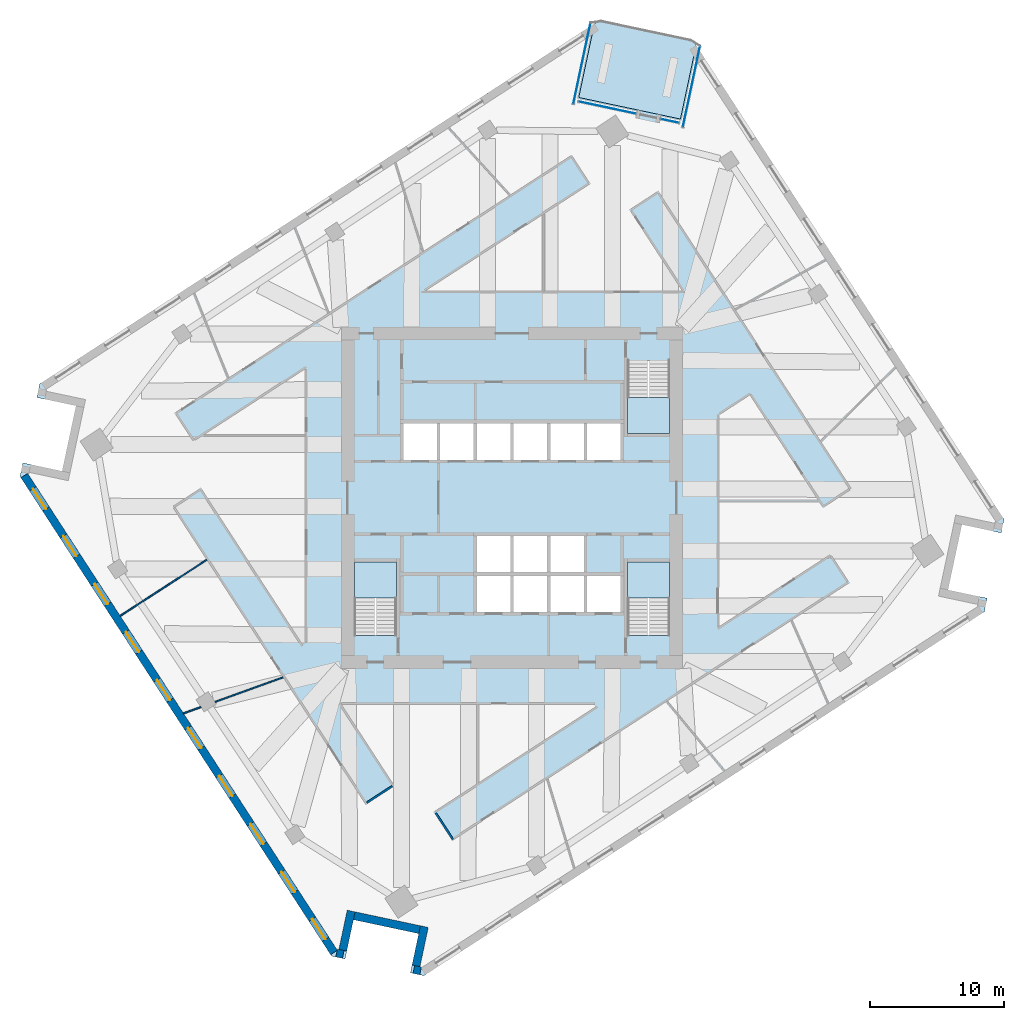
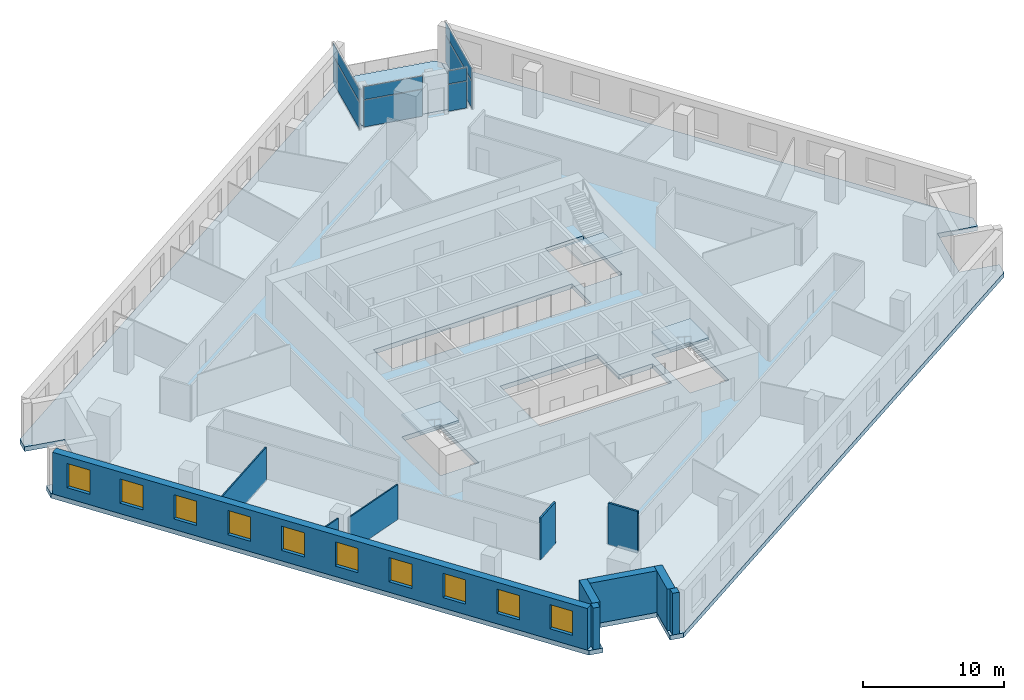
# One storey, part 5 of 12: 11 walls, 10 windows, 8 plates, 5 slabs, 10 openings, 7 elements without a shape of their own.
"""IFC4 building model written with IfcOpenShell, lengths in metres."""

from ifc_helpers import new_model, si_unit, direction, frame, frame_2d, origin, origin_2d, place, context, subcontext, project, spatial, polyline, rectangle, outline, extrude, material, layer, layer_set, type_object, element, fill, aggregate, save


model = new_model("IFC4")

# Units and contexts
model_context = context("Model", 3, precision=1e-05, world=origin(), true_north=direction((0.0, 1.0)))
body_context = subcontext(model_context, "Body", "Model", "MODEL_VIEW")
ifc_project = project(units=[si_unit("LENGTHUNIT", "METRE"), si_unit("AREAUNIT", "SQUARE_METRE"), si_unit("VOLUMEUNIT", "CUBIC_METRE"), si_unit("PLANEANGLEUNIT", "RADIAN"), si_unit("MASSUNIT", "GRAM", prefix="KILO")], contexts=[model_context])

# Site, building, storey
site_placement = place(None, origin())
site = spatial("IfcSite", under=ifc_project, at=site_placement, CompositionType="ELEMENT")
building_placement = place(site_placement, origin())
building = spatial("IfcBuilding", under=site, at=building_placement, Name="Dilmun Exchange Tower", CompositionType="ELEMENT")
storey_placement = place(building_placement, frame((0.0, 0.0, 155.699951171875)))
storey = spatial("IfcBuildingStorey", under=building, at=storey_placement, Name="L36", CompositionType="ELEMENT", Elevation=155.699951171875)

# Stair, slab
ifc_material_1 = material(Name="Concrete C40/50", Category="concrete")
stair_type = type_object("IfcStairType", Name="Exit stair 1500 half-turn", PredefinedType="HALF_TURN_STAIR", material=ifc_material_1)
stair_1_placement = place(storey_placement, origin())
stair_1 = element("IfcStair", 1, at=stair_1_placement, inside=storey, type_object=stair_type, Name="L36 Protected exit stair ST1", PredefinedType="HALF_TURN_STAIR")
ifc_layer_1 = layer(ifc_material_1, 0.199951171875)
ifc_layer_set_1 = layer_set([ifc_layer_1], Name="Concrete C40/50")
slab_type_1 = type_object("IfcSlabType", Name="Exit stair landing 200", PredefinedType="LANDING", material=ifc_layer_set_1)
slab_1_placement = place(storey_placement, frame((0.0, 0.0, 1.800048828125)))
slab_1 = element("IfcSlab", 2, at=slab_1_placement, type_object=slab_type_1, Name="ST1 landing 1", PredefinedType="LANDING", context=body_context, shape_type="SweptSolid", body=[
    extrude(outline(polyline([(8.64990234375, 7.5), (8.64990234375, 4.800048828125), (11.800048828125, 4.800048828125), (11.800048828125, 7.5), (8.64990234375, 7.5)])), origin(), (0.0, 0.0, 1.0), 0.199951171875),
])
aggregate(stair_1, [slab_1])

stair_2_placement = place(storey_placement, origin())
stair_2 = element("IfcStair", 3, at=stair_2_placement, inside=storey, type_object=stair_type, Name="L36 Protected exit stair ST2", PredefinedType="HALF_TURN_STAIR")
slab_2_placement = place(storey_placement, frame((0.0, 0.0, 1.800048828125)))
slab_2 = element("IfcSlab", 4, at=slab_2_placement, type_object=slab_type_1, Name="ST2 landing 1", PredefinedType="LANDING", context=body_context, shape_type="SweptSolid", body=[
    extrude(outline(polyline([(-8.64990234375, -7.5), (-8.64990234375, -4.800048828125), (-11.800048828125, -4.800048828125), (-11.800048828125, -7.5), (-8.64990234375, -7.5)])), origin(), (0.0, 0.0, 1.0), 0.199951171875),
])
aggregate(stair_2, [slab_2])

stair_3_placement = place(storey_placement, origin())
stair_3 = element("IfcStair", 5, at=stair_3_placement, inside=storey, type_object=stair_type, Name="L36 Protected exit stair ST3", PredefinedType="HALF_TURN_STAIR")
slab_3_placement = place(storey_placement, frame((0.0, 0.0, 1.800048828125)))
slab_3 = element("IfcSlab", 6, at=slab_3_placement, type_object=slab_type_1, Name="ST3 landing 1", PredefinedType="LANDING", context=body_context, shape_type="SweptSolid", body=[
    extrude(outline(polyline([(11.800048828125, -7.5), (11.800048828125, -4.800048828125), (8.64990234375, -4.800048828125), (8.64990234375, -7.5), (11.800048828125, -7.5)])), origin(), (0.0, 0.0, 1.0), 0.199951171875),
])
aggregate(stair_3, [slab_3])

# Curtain wall, plates
ifc_material_2 = material(Name="Anodised aluminium and clear glass", Category="aluminium")
curtain_wall_type = type_object("IfcCurtainWallType", Name="Garden corner glazing", PredefinedType="NOTDEFINED", material=ifc_material_2)
curtain_wall_1_placement = place(storey_placement, origin())
curtain_wall_1 = element("IfcCurtainWall", 7, at=curtain_wall_1_placement, inside=storey, type_object=curtain_wall_type, Name="Garden corner glazing run GC1.1", PredefinedType="NOTDEFINED")
ifc_material_3 = material(Name="Clear glass", Category="glass")
ifc_layer_2 = layer(ifc_material_3, 0.028076171875)
ifc_layer_set_2 = layer_set([ifc_layer_2], Name="Clear glass")
plate_type = type_object("IfcPlateType", Name="Garden corner glazing glass panel 28", PredefinedType="CURTAIN_PANEL", material=ifc_layer_set_2)
plate_1_placement = place(storey_placement, frame((13.421142578125, 30.75, 0.06005859375), z_axis=(0.0, 0.0, 1.0), x_axis=(-0.207911792498, -0.978147579121, 0.0)))
plate_1 = element("IfcPlate", 8, at=plate_1_placement, type_object=plate_type, Name="GC1.1 panel 1.1", PredefinedType="CURTAIN_PANEL", context=body_context, shape_type="SweptSolid", body=[
    extrude(rectangle(XDim=6.12646484375, YDim=0.028076171875, at=origin_2d()), origin(), (0.0, 0.0, 1.0), 2.31005859375),
])
plate_2_placement = place(storey_placement, frame((13.421142578125, 30.75, 2.43017578125), z_axis=(0.0, 0.0, 1.0), x_axis=(-0.207911792498, -0.978147579121, 0.0)))
plate_2 = element("IfcPlate", 9, at=plate_2_placement, type_object=plate_type, Name="GC1.1 panel 1.2", PredefinedType="CURTAIN_PANEL", context=body_context, shape_type="SweptSolid", body=[
    extrude(rectangle(XDim=6.12646484375, YDim=0.028076171875, at=origin_2d()), origin(), (0.0, 0.0, 1.0), 1.110107421875),
])
aggregate(curtain_wall_1, [plate_1, plate_2])

curtain_wall_2_placement = place(storey_placement, origin())
curtain_wall_2 = element("IfcCurtainWall", 10, at=curtain_wall_2_placement, inside=storey, type_object=curtain_wall_type, Name="Garden corner glazing run GC2.1", PredefinedType="NOTDEFINED")
plate_3_placement = place(storey_placement, frame((11.8125, 28.205810546875, 0.06005859375), z_axis=(0.0, 0.0, 1.0), x_axis=(-0.978146048112, 0.207918995193, 0.0)))
plate_3 = element("IfcPlate", 11, at=plate_3_placement, type_object=plate_type, Name="GC2.1 panel 1.1", PredefinedType="CURTAIN_PANEL", context=body_context, shape_type="SweptSolid", body=[
    extrude(rectangle(XDim=1.369140625, YDim=0.028076171875, at=origin_2d()), origin(), (0.0, 0.0, 1.0), 2.31005859375),
])
plate_4_placement = place(storey_placement, frame((11.8125, 28.205810546875, 2.43017578125), z_axis=(0.0, 0.0, 1.0), x_axis=(-0.978146048112, 0.207918995193, 0.0)))
plate_4 = element("IfcPlate", 12, at=plate_4_placement, type_object=plate_type, Name="GC2.1 panel 1.2", PredefinedType="CURTAIN_PANEL", context=body_context, shape_type="SweptSolid", body=[
    extrude(rectangle(XDim=1.369140625, YDim=0.028076171875, at=origin_2d()), origin(), (0.0, 0.0, 1.0), 1.110107421875),
])
aggregate(curtain_wall_2, [plate_3, plate_4])

curtain_wall_3_placement = place(storey_placement, origin())
curtain_wall_3 = element("IfcCurtainWall", 13, at=curtain_wall_3_placement, inside=storey, type_object=curtain_wall_type, Name="Garden corner glazing run GC2.3", PredefinedType="NOTDEFINED")
plate_5_placement = place(storey_placement, frame((7.128173828125, 29.201416015625, 0.06005859375), z_axis=(0.0, 0.0, 1.0), x_axis=(-0.978144695034, 0.207925360589, 0.0)))
plate_5 = element("IfcPlate", 14, at=plate_5_placement, type_object=plate_type, Name="GC2.3 panel 1.1", PredefinedType="CURTAIN_PANEL", context=body_context, shape_type="SweptSolid", body=[
    extrude(rectangle(XDim=4.369140625, YDim=0.028076171875, at=origin_2d()), origin(), (0.0, 0.0, 1.0), 2.31005859375),
])
plate_6_placement = place(storey_placement, frame((7.128173828125, 29.201416015625, 2.43017578125), z_axis=(0.0, 0.0, 1.0), x_axis=(-0.978144695034, 0.207925360589, 0.0)))
plate_6 = element("IfcPlate", 15, at=plate_6_placement, type_object=plate_type, Name="GC2.3 panel 1.2", PredefinedType="CURTAIN_PANEL", context=body_context, shape_type="SweptSolid", body=[
    extrude(rectangle(XDim=4.369140625, YDim=0.028076171875, at=origin_2d()), origin(), (0.0, 0.0, 1.0), 1.110107421875),
])
aggregate(curtain_wall_3, [plate_5, plate_6])

curtain_wall_4_placement = place(storey_placement, origin())
curtain_wall_4 = element("IfcCurtainWall", 16, at=curtain_wall_4_placement, inside=storey, type_object=curtain_wall_type, Name="Garden corner glazing run GC3.1", PredefinedType="NOTDEFINED")
plate_7_placement = place(storey_placement, frame((5.22607421875, 32.491943359375, 0.06005859375), z_axis=(0.0, 0.0, 1.0), x_axis=(0.207911792498, 0.978147579121, 0.0)))
plate_7 = element("IfcPlate", 17, at=plate_7_placement, type_object=plate_type, Name="GC3.1 panel 1.1", PredefinedType="CURTAIN_PANEL", context=body_context, shape_type="SweptSolid", body=[
    extrude(rectangle(XDim=6.12646484375, YDim=0.028076171875, at=origin_2d()), origin(), (0.0, 0.0, 1.0), 2.31005859375),
])
plate_8_placement = place(storey_placement, frame((5.22607421875, 32.491943359375, 2.43017578125), z_axis=(0.0, 0.0, 1.0), x_axis=(0.207911792498, 0.978147579121, 0.0)))
plate_8 = element("IfcPlate", 18, at=plate_8_placement, type_object=plate_type, Name="GC3.1 panel 1.2", PredefinedType="CURTAIN_PANEL", context=body_context, shape_type="SweptSolid", body=[
    extrude(rectangle(XDim=6.12646484375, YDim=0.028076171875, at=origin_2d()), origin(), (0.0, 0.0, 1.0), 1.110107421875),
])
aggregate(curtain_wall_4, [plate_7, plate_8])

# Slabs
ifc_layer_3 = layer(ifc_material_1, 0.39990234375)
ifc_layer_set_3 = layer_set([ifc_layer_3], Name="Concrete C40/50")
slab_type_2 = type_object("IfcSlabType", Name="RC floor slab 400", PredefinedType="FLOOR", material=ifc_layer_set_3)
slab_4_placement = place(storey_placement, frame((0.0, 0.0, -0.39990234375)))
element("IfcSlab", 19, at=slab_4_placement, inside=storey, type_object=slab_type_2, Name="Floor slab", PredefinedType="FLOOR", context=body_context, shape_type="SweptSolid", body=[
    extrude(outline(polyline([(36.60009765625, -2.621337890625), (33.66552734375, -1.99755859375), (32.626220703125, -6.88818359375), (35.560546875, -7.511962890625), (35.34521484375, -8.52490234375), (-6.58837890625, -35.7568359375), (-7.601318359375, -35.54150390625), (-6.9775390625, -32.607177734375), (-11.8681640625, -31.567626953125), (-12.491943359375, -34.501953125), (-13.5048828125, -34.28662109375), (-36.8154296875, 1.6083984375), (-36.60009765625, 2.621337890625), (-33.66552734375, 1.99755859375), (-32.626220703125, 6.88818359375), (-35.560546875, 7.511962890625), (-35.34521484375, 8.52490234375), (6.1689453125, 35.484619140625), (4.9951171875, 29.96142578125), (12.603271484375, 28.34423828125), (13.777099609375, 33.867431640625), (36.8154296875, -1.6083984375), (36.60009765625, -2.621337890625)]), holes=[polyline([(-8.64990234375, -4.800048828125), (-11.800048828125, -4.800048828125), (-11.800048828125, -10.294921875), (-8.64990234375, -10.294921875), (-8.64990234375, -4.800048828125)]), polyline([(11.800048828125, -4.800048828125), (8.64990234375, -4.800048828125), (8.64990234375, -10.294921875), (11.800048828125, -10.294921875), (11.800048828125, -4.800048828125)]), polyline([(5.375, -2.85009765625), (-2.625, -2.85009765625), (-2.625, -8.550048828125), (8.125, -8.550048828125), (8.125, -5.85009765625), (5.375, -5.85009765625), (5.375, -2.85009765625)]), polyline([(8.125, 2.85009765625), (8.125, 5.550048828125), (-8.125, 5.550048828125), (-8.125, 2.85009765625), (8.125, 2.85009765625)]), polyline([(8.64990234375, 10.294921875), (8.64990234375, 4.800048828125), (11.800048828125, 4.800048828125), (11.800048828125, 10.294921875), (8.64990234375, 10.294921875)])]), origin(), (0.0, 0.0, 1.0), 0.39990234375),
])
ifc_layer_4 = layer(ifc_material_1, 0.300048828125)
ifc_layer_set_4 = layer_set([ifc_layer_4], Name="Concrete C40/50")
slab_type_3 = type_object("IfcSlabType", Name="RC garden terrace slab 300", PredefinedType="FLOOR", material=ifc_layer_set_4)
slab_5_placement = place(storey_placement, frame((0.0, 0.0, -0.300048828125)))
element("IfcSlab", 20, at=slab_5_placement, inside=storey, type_object=slab_type_3, Name="Garden terrace slab", PredefinedType="FLOOR", context=body_context, shape_type="SweptSolid", body=[
    extrude(outline(polyline([(4.9951171875, 29.96142578125), (6.1689453125, 35.484619140625), (6.58837890625, 35.7568359375), (13.5048828125, 34.28662109375), (13.777099609375, 33.867431640625), (12.603271484375, 28.34423828125), (4.9951171875, 29.96142578125)])), origin(), (0.0, 0.0, 1.0), 0.300048828125),
])

# Walls
ifc_material_4 = material(Name="Corridor wall 150")
ifc_layer_5 = layer(ifc_material_4, 0.14990234375)
ifc_layer_set_5 = layer_set([ifc_layer_5], Name="Corridor wall 150")
wall_type_1 = type_object("IfcWallType", Name="Corridor wall 150", PredefinedType="PARTITIONING", material=ifc_layer_set_5)
wall_1_placement = place(storey_placement, frame((-10.85400390625, -22.80517578125, 0.0), z_axis=(0.0, 0.0, 1.0), x_axis=(0.838555201952, 0.544816641889, 0.0)))
element("IfcWall", 21, at=wall_1_placement, inside=storey, type_object=wall_type_1, Name="Corridor wall", PredefinedType="PARTITIONING", context=body_context, shape_type="SweptSolid", body=[
    extrude(rectangle(XDim=2.2490234375, YDim=0.14990234375, at=frame_2d((1.12451171875, 0.0))), origin(), (0.0, 0.0, 1.0), 3.60009765625),
])
wall_2_placement = place(storey_placement, frame((-5.705078125, -23.5869140625, 0.0), z_axis=(0.0, 0.0, 1.0), x_axis=(0.544530623896, -0.838740960988, 0.0)))
element("IfcWall", 22, at=wall_2_placement, inside=storey, type_object=wall_type_1, Name="Corridor wall", PredefinedType="PARTITIONING", context=body_context, shape_type="SweptSolid", body=[
    extrude(rectangle(XDim=2.3251953125, YDim=0.14990234375, at=frame_2d((1.16259765625, 0.0))), origin(), (0.0, 0.0, 1.0), 3.60009765625),
])
ifc_material_5 = material(Name="Partition 100")
ifc_layer_6 = layer(ifc_material_5, 0.10009765625)
ifc_layer_set_6 = layer_set([ifc_layer_6], Name="Partition 100")
wall_type_2 = type_object("IfcWallType", Name="Partition 100", PredefinedType="PARTITIONING", material=ifc_layer_set_6)
wall_3_placement = place(storey_placement, frame((-29.31689453125, -8.832763671875, 0.0), z_axis=(0.0, 0.0, 1.0), x_axis=(0.839172220575, 0.543865777757, 0.0)))
element("IfcWall", 23, at=wall_3_placement, inside=storey, type_object=wall_type_2, Name="Partition", PredefinedType="PARTITIONING", context=body_context, shape_type="SweptSolid", body=[
    extrude(rectangle(XDim=7.72412109375, YDim=0.10009765625, at=frame_2d((3.862060546875, 0.0))), origin(), (0.0, 0.0, 1.0), 2.900146484375),
])
wall_4_placement = place(storey_placement, frame((-24.580078125, -16.126953125, 0.0), z_axis=(0.0, 0.0, 1.0), x_axis=(0.94044924629, 0.339934133551, 0.0)))
element("IfcWall", 24, at=wall_4_placement, inside=storey, type_object=wall_type_2, Name="Partition", PredefinedType="PARTITIONING", context=body_context, shape_type="SweptSolid", body=[
    extrude(rectangle(XDim=1.387451171875, YDim=0.10009765625, at=frame_2d((0.69384765625, 0.0))), origin(), (0.0, 0.0, 1.0), 3.60009765625),
])
wall_5_placement = place(storey_placement, frame((-22.2099609375, -15.27001953125, 0.0), z_axis=(0.0, 0.0, 1.0), x_axis=(0.940414992248, 0.34002888459, 0.0)))
element("IfcWall", 25, at=wall_5_placement, inside=storey, type_object=wall_type_2, Name="Partition", PredefinedType="PARTITIONING", context=body_context, shape_type="SweptSolid", body=[
    extrude(rectangle(XDim=5.3994140625, YDim=0.10009765625, at=frame_2d((2.69970703125, 0.0))), origin(), (0.0, 0.0, 1.0), 3.030029296875),
])

# Wall, openings, windows
ifc_material_6 = material(Name="Precast concrete C50/60", Category="concrete")
ifc_layer_7 = layer(ifc_material_6, 0.60009765625)
ifc_layer_set_7 = layer_set([ifc_layer_7], Name="Precast concrete C50/60")
wall_type_3 = type_object("IfcWallType", Name="Precast stone-clad wall 600", PredefinedType="STANDARD", material=ifc_layer_set_7)
wall_6_placement = place(storey_placement, frame((-36.49609375, 1.66748046875, 0.0), z_axis=(0.0, 0.0, 1.0), x_axis=(0.544642236407, -0.838668488929, 0.0)))
wall_6 = element("IfcWall", 26, at=wall_6_placement, inside=storey, type_object=wall_type_3, Name="Facade wall L36-09", PredefinedType="STANDARD", context=body_context, shape_type="SweptSolid", body=[
    extrude(rectangle(XDim=42.551513671875, YDim=0.60009765625, at=frame_2d((21.27587890625, 0.0))), origin(), (0.0, 0.0, 1.0), 3.60009765625),
])
opening_1_placement = place(wall_6_placement, frame((1.177978515625, 0.0, 0.89990234375)))
opening_1 = element("IfcOpeningElement", 27, at=opening_1_placement, cuts=wall_6, Name="Opening W180-210", PredefinedType="OPENING", context=body_context, shape_type="SweptSolid", body=[
    extrude(rectangle(XDim=1.800048828125, YDim=2.10009765625, at=frame_2d((0.89990234375, 1.050048828125))), frame((0.0, 0.31005859375, 0.0), z_axis=(0.0, -1.0, 0.0), x_axis=(1.0, 0.0, 0.0)), (0.0, 0.0, 1.0), 0.6201171875),
])
opening_2_placement = place(wall_6_placement, frame((5.395751953125, 0.0, 0.89990234375)))
opening_2 = element("IfcOpeningElement", 28, at=opening_2_placement, cuts=wall_6, Name="Opening W180-210", PredefinedType="OPENING", context=body_context, shape_type="SweptSolid", body=[
    extrude(rectangle(XDim=1.800048828125, YDim=2.10009765625, at=frame_2d((0.89990234375, 1.050048828125))), frame((0.0, 0.31005859375, 0.0), z_axis=(0.0, -1.0, 0.0), x_axis=(1.0, 0.0, 0.0)), (0.0, 0.0, 1.0), 0.6201171875),
])
opening_3_placement = place(wall_6_placement, frame((9.67578125, 0.0, 0.89990234375)))
opening_3 = element("IfcOpeningElement", 29, at=opening_3_placement, cuts=wall_6, Name="Opening W180-210", PredefinedType="OPENING", context=body_context, shape_type="SweptSolid", body=[
    extrude(rectangle(XDim=1.800048828125, YDim=2.10009765625, at=frame_2d((0.89990234375, 1.050048828125))), frame((0.0, 0.31005859375, 0.0), z_axis=(0.0, -1.0, 0.0), x_axis=(1.0, 0.0, 0.0)), (0.0, 0.0, 1.0), 0.6201171875),
])
opening_4_placement = place(wall_6_placement, frame((13.955810546875, 0.0, 0.89990234375)))
opening_4 = element("IfcOpeningElement", 30, at=opening_4_placement, cuts=wall_6, Name="Opening W180-210", PredefinedType="OPENING", context=body_context, shape_type="SweptSolid", body=[
    extrude(rectangle(XDim=1.800048828125, YDim=2.10009765625, at=frame_2d((0.89990234375, 1.050048828125))), frame((0.0, 0.31005859375, 0.0), z_axis=(0.0, -1.0, 0.0), x_axis=(1.0, 0.0, 0.0)), (0.0, 0.0, 1.0), 0.6201171875),
])
opening_5_placement = place(wall_6_placement, frame((18.235595703125, 0.0, 0.89990234375)))
opening_5 = element("IfcOpeningElement", 31, at=opening_5_placement, cuts=wall_6, Name="Opening W180-210", PredefinedType="OPENING", context=body_context, shape_type="SweptSolid", body=[
    extrude(rectangle(XDim=1.800048828125, YDim=2.10009765625, at=frame_2d((0.89990234375, 1.050048828125))), frame((0.0, 0.31005859375, 0.0), z_axis=(0.0, -1.0, 0.0), x_axis=(1.0, 0.0, 0.0)), (0.0, 0.0, 1.0), 0.6201171875),
])
opening_6_placement = place(wall_6_placement, frame((22.515625, 0.0, 0.89990234375)))
opening_6 = element("IfcOpeningElement", 32, at=opening_6_placement, cuts=wall_6, Name="Opening W180-210", PredefinedType="OPENING", context=body_context, shape_type="SweptSolid", body=[
    extrude(rectangle(XDim=1.800048828125, YDim=2.10009765625, at=frame_2d((0.89990234375, 1.050048828125))), frame((0.0, 0.31005859375, 0.0), z_axis=(0.0, -1.0, 0.0), x_axis=(1.0, 0.0, 0.0)), (0.0, 0.0, 1.0), 0.6201171875),
])
opening_7_placement = place(wall_6_placement, frame((26.795654296875, 0.0, 0.89990234375)))
opening_7 = element("IfcOpeningElement", 33, at=opening_7_placement, cuts=wall_6, Name="Opening W180-210", PredefinedType="OPENING", context=body_context, shape_type="SweptSolid", body=[
    extrude(rectangle(XDim=1.800048828125, YDim=2.10009765625, at=frame_2d((0.89990234375, 1.050048828125))), frame((0.0, 0.31005859375, 0.0), z_axis=(0.0, -1.0, 0.0), x_axis=(1.0, 0.0, 0.0)), (0.0, 0.0, 1.0), 0.6201171875),
])
opening_8_placement = place(wall_6_placement, frame((31.07568359375, 0.0, 0.89990234375)))
opening_8 = element("IfcOpeningElement", 34, at=opening_8_placement, cuts=wall_6, Name="Opening W180-210", PredefinedType="OPENING", context=body_context, shape_type="SweptSolid", body=[
    extrude(rectangle(XDim=1.800048828125, YDim=2.10009765625, at=frame_2d((0.89990234375, 1.050048828125))), frame((0.0, 0.31005859375, 0.0), z_axis=(0.0, -1.0, 0.0), x_axis=(1.0, 0.0, 0.0)), (0.0, 0.0, 1.0), 0.6201171875),
])
opening_9_placement = place(wall_6_placement, frame((35.355712890625, 0.0, 0.89990234375)))
opening_9 = element("IfcOpeningElement", 35, at=opening_9_placement, cuts=wall_6, Name="Opening W180-210", PredefinedType="OPENING", context=body_context, shape_type="SweptSolid", body=[
    extrude(rectangle(XDim=1.800048828125, YDim=2.10009765625, at=frame_2d((0.89990234375, 1.050048828125))), frame((0.0, 0.31005859375, 0.0), z_axis=(0.0, -1.0, 0.0), x_axis=(1.0, 0.0, 0.0)), (0.0, 0.0, 1.0), 0.6201171875),
])
opening_10_placement = place(wall_6_placement, frame((39.573486328125, 0.0, 0.89990234375)))
opening_10 = element("IfcOpeningElement", 36, at=opening_10_placement, cuts=wall_6, Name="Opening W180-210", PredefinedType="OPENING", context=body_context, shape_type="SweptSolid", body=[
    extrude(rectangle(XDim=1.800048828125, YDim=2.10009765625, at=frame_2d((0.89990234375, 1.050048828125))), frame((0.0, 0.31005859375, 0.0), z_axis=(0.0, -1.0, 0.0), x_axis=(1.0, 0.0, 0.0)), (0.0, 0.0, 1.0), 0.6201171875),
])
ifc_material_7 = material(Name="Clear low-emissivity glass in aluminium frame", Category="aluminium")
window_type = type_object("IfcWindowType", Name="Punched window 1800 x 2100", PartitioningType="DOUBLE_PANEL_VERTICAL", PredefinedType="WINDOW", material=ifc_material_7)
window_1_placement = place(opening_1_placement, origin())
window_1 = element("IfcWindow", 37, at=window_1_placement, inside=storey, type_object=window_type, Name="Window 10.1", OverallHeight=2.10009765625, OverallWidth=1.800048828125, PartitioningType="SINGLE_PANEL", PredefinedType="WINDOW", context=body_context, shape_type="SweptSolid", body=[
    extrude(rectangle(XDim=1.800048828125, YDim=2.10009765625, at=frame_2d((0.89990234375, 1.050048828125))), frame((0.0, 0.030029296875, 0.0), z_axis=(0.0, -1.0, 0.0), x_axis=(1.0, 0.0, 0.0)), (0.0, 0.0, 1.0), 0.06005859375),
])
fill(opening_1, window_1)
window_2_placement = place(opening_2_placement, origin())
window_2 = element("IfcWindow", 38, at=window_2_placement, inside=storey, type_object=window_type, Name="Window 10.2", OverallHeight=2.10009765625, OverallWidth=1.800048828125, PartitioningType="SINGLE_PANEL", PredefinedType="WINDOW", context=body_context, shape_type="SweptSolid", body=[
    extrude(rectangle(XDim=1.800048828125, YDim=2.10009765625, at=frame_2d((0.89990234375, 1.050048828125))), frame((0.0, 0.030029296875, 0.0), z_axis=(0.0, -1.0, 0.0), x_axis=(1.0, 0.0, 0.0)), (0.0, 0.0, 1.0), 0.06005859375),
])
fill(opening_2, window_2)
window_3_placement = place(opening_3_placement, origin())
window_3 = element("IfcWindow", 39, at=window_3_placement, inside=storey, type_object=window_type, Name="Window 10.3", OverallHeight=2.10009765625, OverallWidth=1.800048828125, PartitioningType="SINGLE_PANEL", PredefinedType="WINDOW", context=body_context, shape_type="SweptSolid", body=[
    extrude(rectangle(XDim=1.800048828125, YDim=2.10009765625, at=frame_2d((0.89990234375, 1.050048828125))), frame((0.0, 0.030029296875, 0.0), z_axis=(0.0, -1.0, 0.0), x_axis=(1.0, 0.0, 0.0)), (0.0, 0.0, 1.0), 0.06005859375),
])
fill(opening_3, window_3)
window_4_placement = place(opening_4_placement, origin())
window_4 = element("IfcWindow", 40, at=window_4_placement, inside=storey, type_object=window_type, Name="Window 10.4", OverallHeight=2.10009765625, OverallWidth=1.800048828125, PartitioningType="SINGLE_PANEL", PredefinedType="WINDOW", context=body_context, shape_type="SweptSolid", body=[
    extrude(rectangle(XDim=1.800048828125, YDim=2.10009765625, at=frame_2d((0.89990234375, 1.050048828125))), frame((0.0, 0.030029296875, 0.0), z_axis=(0.0, -1.0, 0.0), x_axis=(1.0, 0.0, 0.0)), (0.0, 0.0, 1.0), 0.06005859375),
])
fill(opening_4, window_4)
window_5_placement = place(opening_5_placement, origin())
window_5 = element("IfcWindow", 41, at=window_5_placement, inside=storey, type_object=window_type, Name="Window 10.5", OverallHeight=2.10009765625, OverallWidth=1.800048828125, PartitioningType="SINGLE_PANEL", PredefinedType="WINDOW", context=body_context, shape_type="SweptSolid", body=[
    extrude(rectangle(XDim=1.800048828125, YDim=2.10009765625, at=frame_2d((0.89990234375, 1.050048828125))), frame((0.0, 0.030029296875, 0.0), z_axis=(0.0, -1.0, 0.0), x_axis=(1.0, 0.0, 0.0)), (0.0, 0.0, 1.0), 0.06005859375),
])
fill(opening_5, window_5)
window_6_placement = place(opening_6_placement, origin())
window_6 = element("IfcWindow", 42, at=window_6_placement, inside=storey, type_object=window_type, Name="Window 10.6", OverallHeight=2.10009765625, OverallWidth=1.800048828125, PartitioningType="SINGLE_PANEL", PredefinedType="WINDOW", context=body_context, shape_type="SweptSolid", body=[
    extrude(rectangle(XDim=1.800048828125, YDim=2.10009765625, at=frame_2d((0.89990234375, 1.050048828125))), frame((0.0, 0.030029296875, 0.0), z_axis=(0.0, -1.0, 0.0), x_axis=(1.0, 0.0, 0.0)), (0.0, 0.0, 1.0), 0.06005859375),
])
fill(opening_6, window_6)
window_7_placement = place(opening_7_placement, origin())
window_7 = element("IfcWindow", 43, at=window_7_placement, inside=storey, type_object=window_type, Name="Window 10.7", OverallHeight=2.10009765625, OverallWidth=1.800048828125, PartitioningType="SINGLE_PANEL", PredefinedType="WINDOW", context=body_context, shape_type="SweptSolid", body=[
    extrude(rectangle(XDim=1.800048828125, YDim=2.10009765625, at=frame_2d((0.89990234375, 1.050048828125))), frame((0.0, 0.030029296875, 0.0), z_axis=(0.0, -1.0, 0.0), x_axis=(1.0, 0.0, 0.0)), (0.0, 0.0, 1.0), 0.06005859375),
])
fill(opening_7, window_7)
window_8_placement = place(opening_8_placement, origin())
window_8 = element("IfcWindow", 44, at=window_8_placement, inside=storey, type_object=window_type, Name="Window 10.8", OverallHeight=2.10009765625, OverallWidth=1.800048828125, PartitioningType="SINGLE_PANEL", PredefinedType="WINDOW", context=body_context, shape_type="SweptSolid", body=[
    extrude(rectangle(XDim=1.800048828125, YDim=2.10009765625, at=frame_2d((0.89990234375, 1.050048828125))), frame((0.0, 0.030029296875, 0.0), z_axis=(0.0, -1.0, 0.0), x_axis=(1.0, 0.0, 0.0)), (0.0, 0.0, 1.0), 0.06005859375),
])
fill(opening_8, window_8)
window_9_placement = place(opening_9_placement, origin())
window_9 = element("IfcWindow", 45, at=window_9_placement, inside=storey, type_object=window_type, Name="Window 10.9", OverallHeight=2.10009765625, OverallWidth=1.800048828125, PartitioningType="SINGLE_PANEL", PredefinedType="WINDOW", context=body_context, shape_type="SweptSolid", body=[
    extrude(rectangle(XDim=1.800048828125, YDim=2.10009765625, at=frame_2d((0.89990234375, 1.050048828125))), frame((0.0, 0.030029296875, 0.0), z_axis=(0.0, -1.0, 0.0), x_axis=(1.0, 0.0, 0.0)), (0.0, 0.0, 1.0), 0.06005859375),
])
fill(opening_9, window_9)
window_10_placement = place(opening_10_placement, origin())
window_10 = element("IfcWindow", 46, at=window_10_placement, inside=storey, type_object=window_type, Name="Window 10.10", OverallHeight=2.10009765625, OverallWidth=1.800048828125, PartitioningType="SINGLE_PANEL", PredefinedType="WINDOW", context=body_context, shape_type="SweptSolid", body=[
    extrude(rectangle(XDim=1.800048828125, YDim=2.10009765625, at=frame_2d((0.89990234375, 1.050048828125))), frame((0.0, 0.030029296875, 0.0), z_axis=(0.0, -1.0, 0.0), x_axis=(1.0, 0.0, 0.0)), (0.0, 0.0, 1.0), 0.06005859375),
])
fill(opening_10, window_10)

# Walls
wall_7_placement = place(storey_placement, frame((-13.125244140625, -34.060791015625, 0.0), z_axis=(0.0, 0.0, 1.0), x_axis=(0.978178268729, -0.207767356883, 0.0)))
element("IfcWall", 47, at=wall_7_placement, inside=storey, type_object=wall_type_3, Name="Facade wall L36-10", PredefinedType="STANDARD", context=body_context, shape_type="SweptSolid", body=[
    extrude(rectangle(XDim=0.51123046875, YDim=0.60009765625, at=frame_2d((0.255615234375, 0.0))), origin(), (0.0, 0.0, 1.0), 3.60009765625),
])
wall_8_placement = place(storey_placement, frame((-12.66064453125, -33.852783203125, 0.0), z_axis=(0.0, 0.0, 1.0), x_axis=(0.207917150959, 0.978146440129, 0.0)))
element("IfcWall", 48, at=wall_8_placement, inside=storey, type_object=wall_type_3, Name="Facade wall L36-11", PredefinedType="STANDARD", context=body_context, shape_type="SweptSolid", body=[
    extrude(rectangle(XDim=3.000244140625, YDim=0.60009765625, at=frame_2d((1.5, 0.0))), origin(), (0.0, 0.0, 1.0), 3.60009765625),
])
wall_9_placement = place(storey_placement, frame((-11.805908203125, -31.274169921875, 0.0), z_axis=(0.0, 0.0, 1.0), x_axis=(0.978149046495, -0.207904888932, 0.0)))
element("IfcWall", 49, at=wall_9_placement, inside=storey, type_object=wall_type_3, Name="Facade wall L36-12", PredefinedType="STANDARD", context=body_context, shape_type="SweptSolid", body=[
    extrude(rectangle(XDim=5.000244140625, YDim=0.60009765625, at=frame_2d((2.5, 0.0))), origin(), (0.0, 0.0, 1.0), 3.60009765625),
])
wall_10_placement = place(storey_placement, frame((-6.559326171875, -32.08251953125, 0.0), z_axis=(0.0, 0.0, 1.0), x_axis=(-0.207917150959, -0.978146440129, 0.0)))
element("IfcWall", 50, at=wall_10_placement, inside=storey, type_object=wall_type_3, Name="Facade wall L36-13", PredefinedType="STANDARD", context=body_context, shape_type="SweptSolid", body=[
    extrude(rectangle(XDim=3.000244140625, YDim=0.60009765625, at=frame_2d((1.5, 0.0))), origin(), (0.0, 0.0, 1.0), 3.60009765625),
])
wall_11_placement = place(storey_placement, frame((-7.34326171875, -35.289794921875, 0.0), z_axis=(0.0, 0.0, 1.0), x_axis=(0.978198872106, -0.20767033156, 0.0)))
element("IfcWall", 51, at=wall_11_placement, inside=storey, type_object=wall_type_3, Name="Facade wall L36-14", PredefinedType="STANDARD", context=body_context, shape_type="SweptSolid", body=[
    extrude(rectangle(XDim=0.511474609375, YDim=0.60009765625, at=frame_2d((0.255859375, 0.0))), origin(), (0.0, 0.0, 1.0), 3.60009765625),
])

save(model, "model.ifc")
